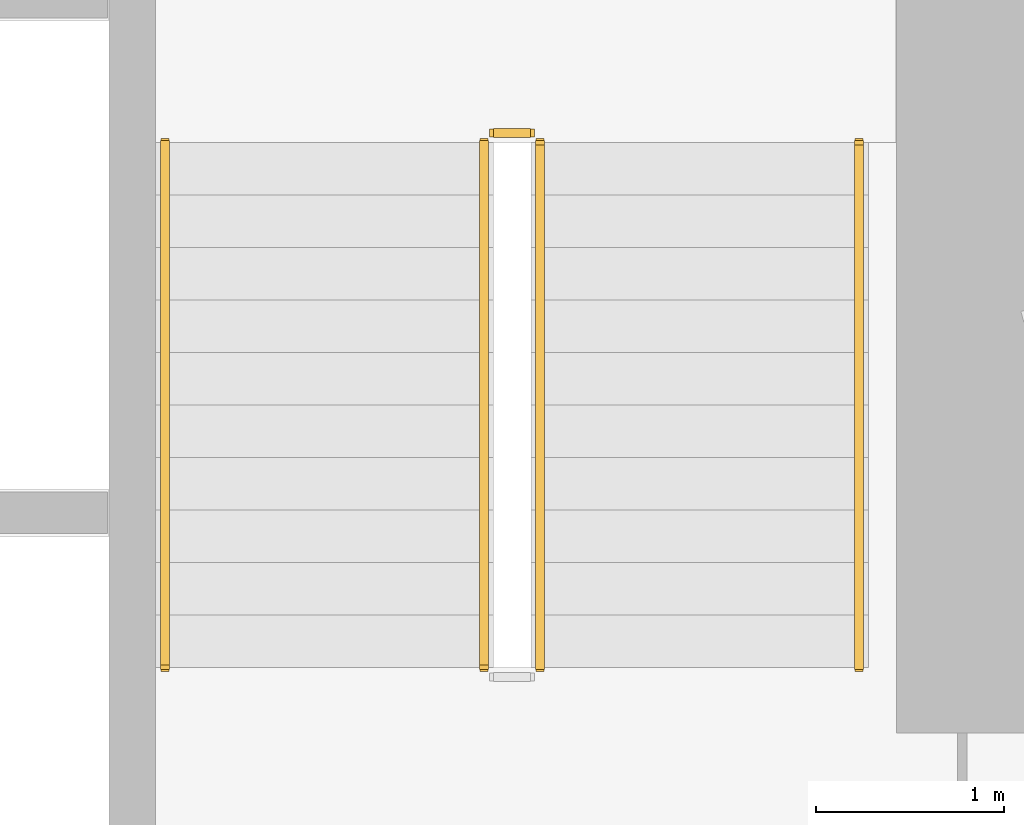
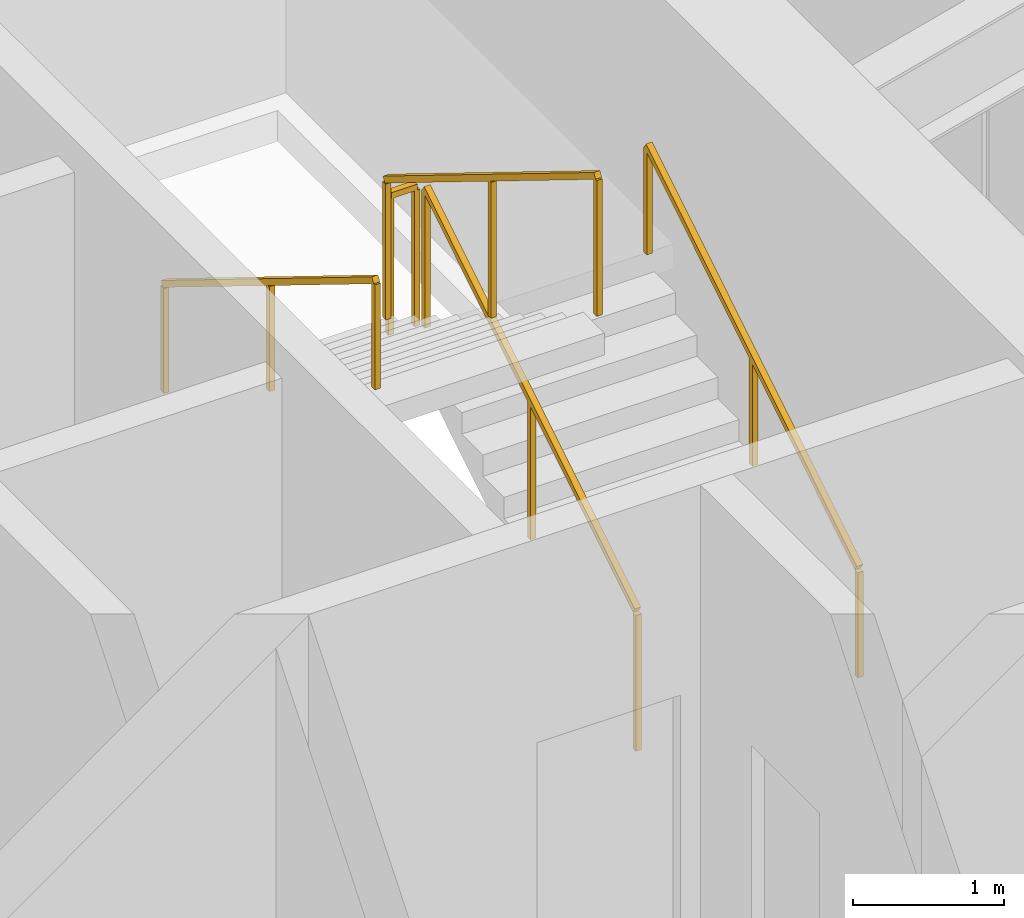
# One storey, part 33 of 33: 5 railings.
"""IFC4 building model written with IfcOpenShell, lengths in metres."""

import ifcopenshell
import ifcopenshell.guid

model = None  # the IFC model being written
_history = None  # IfcOwnerHistory: only IFC2X3 demands one
_inside = {}  # id of a spatial element -> (the spatial element, [elements in it])
_under = {}  # id of a project, library or spatial element -> (it, [spatial elements below it])
_declared = {}  # id of a project -> (the project, [libraries it declares])
_typed = {}  # id of a type object -> (the type object, [elements of that type])
_made_of = {}  # id of a material, layer set ... -> (it, [elements and type objects made of it])


def new_model(schema):
    """Start an empty IFC model of exactly this schema.

    Asked for "IFC4X3", IfcOpenShell would pick the latest addendum, in which some entities
    have other attributes; the version numbers below select the first issue.
    IFC2X3 requires an IfcOwnerHistory on every rooted entity: one is made here for all.
    """
    global model, _history
    if schema == "IFC4X3":
        model = ifcopenshell.file(schema_version=(4, 3, 0, 0))
    else:
        model = ifcopenshell.file(schema=schema)
    _inside.clear()
    _under.clear()
    _declared.clear()
    _typed.clear()
    _made_of.clear()
    _history = None
    if model.schema == "IFC2X3":
        org = make("IfcOrganization", Name="unknown")
        user = make(
            "IfcPersonAndOrganization",
            ThePerson=make("IfcPerson", FamilyName="unknown"),
            TheOrganization=org,
        )
        app = make(
            "IfcApplication",
            ApplicationDeveloper=org,
            Version="unknown",
            ApplicationFullName="unknown",
            ApplicationIdentifier="unknown",
        )
        _history = make(
            "IfcOwnerHistory",
            OwningUser=user,
            OwningApplication=app,
            ChangeAction="ADDED",
            CreationDate=0,
        )
    return model


def make(cls, **values):
    """One entity of the class cls with the attributes given. An attribute that is None is left unset."""
    return model.create_entity(
        cls, **{name: value for name, value in values.items() if value is not None}
    )


def rooted(cls, **values):
    """An entity with a GlobalId (a new one), such as an element, a storey or a relation."""
    return make(cls, GlobalId=ifcopenshell.guid.new(), OwnerHistory=_history, **values)


def si_unit(unit_type, name, prefix=None):
    """IfcSIUnit, for example si_unit("LENGTHUNIT", "METRE", prefix="MILLI")."""
    return make("IfcSIUnit", UnitType=unit_type, Prefix=prefix, Name=name)


def assignment(units):
    """IfcUnitAssignment: the units of a project."""
    return None if units is None else make("IfcUnitAssignment", Units=units)


def point(xyz):
    """IfcCartesianPoint."""
    return None if xyz is None else make("IfcCartesianPoint", Coordinates=xyz)


def direction(xyz):
    """IfcDirection."""
    return None if xyz is None else make("IfcDirection", DirectionRatios=xyz)


def frame(location, z_axis=None, x_axis=None):
    """IfcAxis2Placement3D, a coordinate frame: its origin and axes. An axis left out is left unset."""
    return make(
        "IfcAxis2Placement3D",
        Location=point(location),
        Axis=direction(z_axis),
        RefDirection=direction(x_axis),
    )


def frame_2d(location, x_axis=None):
    """IfcAxis2Placement2D, a coordinate frame in the plane: its origin and x axis."""
    return make(
        "IfcAxis2Placement2D", Location=point(location), RefDirection=direction(x_axis)
    )


def origin():
    """The frame at (0, 0, 0) with its axes left unset."""
    return frame((0.0, 0.0, 0.0))


def origin_2d():
    """The frame at (0, 0) in the plane with its x axis left unset."""
    return frame_2d((0.0, 0.0))


def place(relative_to, where):
    """IfcLocalPlacement: puts the frame where relative to a parent placement (None: the world)."""
    return make(
        "IfcLocalPlacement", PlacementRelTo=relative_to, RelativePlacement=where
    )


def context(
    kind, dimensions, precision=None, world=None, true_north=None, identifier=None
):
    """IfcGeometricRepresentationContext, for example the 3D "Model" context."""
    return make(
        "IfcGeometricRepresentationContext",
        ContextIdentifier=identifier,
        ContextType=kind,
        CoordinateSpaceDimension=dimensions,
        Precision=precision,
        WorldCoordinateSystem=world,
        TrueNorth=true_north,
    )


def subcontext(parent, identifier, kind, view, scale=None):
    """IfcGeometricRepresentationSubContext, for example "Body" below "Model"."""
    return make(
        "IfcGeometricRepresentationSubContext",
        ContextIdentifier=identifier,
        ContextType=kind,
        ParentContext=parent,
        TargetScale=scale,
        TargetView=view,
    )


def project(units=None, contexts=None):
    """IfcProject with its units and contexts."""
    return rooted(
        "IfcProject",
        Name="project",
        RepresentationContexts=contexts,
        UnitsInContext=assignment(units),
    )


def spatial(cls, under=None, at=None, **own):
    """A site, building, storey or space (cls), placed at a placement, below another one or the project."""
    s = rooted(cls, ObjectPlacement=at, **own)
    if under is not None:
        _under.setdefault(under.id(), (under, []))[1].append(s)
    return s


def profile(cls, at=None, kind="AREA", **sizes):
    """A parametric profile (cls). Its sizes go by their IFC names, for example OverallWidth=200.0."""
    return make(cls, ProfileType=kind, Position=at, **sizes)


def rectangle(**sizes):
    """IfcRectangleProfileDef."""
    return profile("IfcRectangleProfileDef", **sizes)


def extrude(swept, where, along, depth):
    """IfcExtrudedAreaSolid: the profile swept, set in the frame where, extruded along a direction by depth."""
    return make(
        "IfcExtrudedAreaSolid",
        SweptArea=swept,
        Position=where,
        ExtrudedDirection=direction(along),
        Depth=depth,
    )


def shape(context_of_items, identifier, shape_type, items):
    """IfcShapeRepresentation: the items that make up one representation, for example the "Body"."""
    return make(
        "IfcShapeRepresentation",
        ContextOfItems=context_of_items,
        RepresentationIdentifier=identifier,
        RepresentationType=shape_type,
        Items=items,
    )


def material(Name=None, Category=None):
    """IfcMaterial."""
    return make("IfcMaterial", Name=Name, Category=Category)


def made_of(thing, what):
    """Note that an element or type object is made of a material, layer set ...; save() writes the relation."""
    if what is not None:
        _made_of.setdefault(what.id(), (what, []))[1].append(thing)
    return thing


def type_object(cls, material=None, **own):
    """A type object (cls), such as IfcWallType, which elements share."""
    return made_of(rooted(cls, **own), material)


def element(
    cls,
    number,
    at=None,
    inside=None,
    cuts=None,
    type_object=None,
    material=None,
    context=None,
    identifier="Body",
    shape_type=None,
    held_by="IfcProductDefinitionShape",
    body=None,
    shapes=None,
    **own,
):
    """One element of the class cls, such as IfcWall. Its Tag is "e" and its number.

    at: its placement. inside: the storey or other place that contains it. cuts: it is an
    opening in that element (IfcRelVoidsElement). A single representation is given by context,
    identifier, shape_type and body (its items); several are given by shapes. held_by: the class
    of the entity that holds the representations. save() writes the other relations.
    """
    e = rooted(cls, Tag="e%d" % number, ObjectPlacement=at, **own)
    if body is not None:
        shapes = [shape(context, identifier, shape_type, body)]
    if shapes is not None:
        e.Representation = make(held_by, Representations=shapes)
    if inside is not None:
        _inside.setdefault(inside.id(), (inside, []))[1].append(e)
    if cuts is not None:
        rooted(
            "IfcRelVoidsElement", RelatingBuildingElement=cuts, RelatedOpeningElement=e
        )
    if type_object is not None:
        _typed.setdefault(type_object.id(), (type_object, []))[1].append(e)
    return made_of(e, material)


def aggregate(whole, parts):
    """IfcRelAggregates: a whole, such as a stair, and the parts it consists of."""
    return rooted("IfcRelAggregates", RelatingObject=whole, RelatedObjects=parts)


def save(model, path):
    """Write the relations noted so far, then the file.

    IfcRelAggregates (storeys below a building ...), IfcRelContainedInSpatialStructure (elements
    in a storey), IfcRelDefinesByType, IfcRelAssociatesMaterial and IfcRelDeclares: one each for
    every whole, place, type object, material and project.
    """
    for whole, parts in _under.values():
        aggregate(whole, parts)
    for where, things in _inside.values():
        rooted(
            "IfcRelContainedInSpatialStructure",
            RelatedElements=things,
            RelatingStructure=where,
        )
    for kind, things in _typed.values():
        rooted("IfcRelDefinesByType", RelatedObjects=things, RelatingType=kind)
    for what, things in _made_of.values():
        rooted("IfcRelAssociatesMaterial", RelatedObjects=things, RelatingMaterial=what)
    for by, libraries in _declared.values():
        rooted("IfcRelDeclares", RelatingContext=by, RelatedDefinitions=libraries)
    model.write(path)


model = new_model("IFC4")

# Units and contexts
model_context = context("Model", 3, precision=1e-05, world=origin(), true_north=direction((0.0, 1.0)))
body_context = subcontext(model_context, "Body", "Model", "MODEL_VIEW")
ifc_project = project(units=[si_unit("LENGTHUNIT", "METRE"), si_unit("AREAUNIT", "SQUARE_METRE"), si_unit("VOLUMEUNIT", "CUBIC_METRE"), si_unit("PLANEANGLEUNIT", "RADIAN"), si_unit("MASSUNIT", "GRAM", prefix="KILO")], contexts=[model_context])

# Site, building, storey
site_placement = place(None, origin())
site = spatial("IfcSite", under=ifc_project, at=site_placement, CompositionType="ELEMENT")
building_placement = place(site_placement, origin())
building = spatial("IfcBuilding", under=site, at=building_placement, Name="Zuhravey Tower", CompositionType="ELEMENT")
storey_placement = place(building_placement, frame((0.0, 0.0, 96.199951171875)))
storey = spatial("IfcBuildingStorey", under=building, at=storey_placement, Name="L23", CompositionType="ELEMENT", Elevation=96.199951171875)

# Railings
ifc_material_1 = material(Name="Brushed stainless steel", Category="steel")
railing_type_1 = type_object("IfcRailingType", Name="Stair Wall Handrail 900", PredefinedType="HANDRAIL", material=ifc_material_1)
railing_1_placement = place(storey_placement, frame((45.949951171875, 33.199951171875, 0.1728515625)))
element("IfcRailing", 1, at=railing_1_placement, inside=storey, type_object=railing_type_1, Name="L23 ST2 stair handrail 1", PredefinedType="HANDRAIL", context=body_context, shape_type="SweptSolid", body=[
    extrude(rectangle(XDim=0.048095703125, YDim=0.048095703125, at=origin_2d()), frame((0.0, 0.001708984375, 0.876953125), z_axis=(0.0, 0.851089632645, 0.525020415988), x_axis=(-1.0, 0.0, 0.0)), (0.0, 0.0, 1.0), 3.285888671875),
    extrude(rectangle(XDim=0.0419921875, YDim=0.0419921875, at=origin_2d()), origin(), (0.0, 0.0, 1.0), 0.849853515625),
    extrude(rectangle(XDim=0.0419921875, YDim=0.0419921875, at=origin_2d()), frame((0.0, 1.39990234375, 0.86376953125)), (0.0, 0.0, 1.0), 0.849853515625),
    extrude(rectangle(XDim=0.0419921875, YDim=0.0419921875, at=origin_2d()), frame((0.0, 2.800048828125, 1.727294921875)), (0.0, 0.0, 1.0), 0.849853515625),
])
railing_2_placement = place(storey_placement, frame((42.25, 36.0, 2.07275390625)))
element("IfcRailing", 2, at=railing_2_placement, inside=storey, type_object=railing_type_1, Name="L23 ST2 stair handrail 2", PredefinedType="HANDRAIL", context=body_context, shape_type="SweptSolid", body=[
    extrude(rectangle(XDim=0.048095703125, YDim=0.048095703125, at=origin_2d()), frame((0.0, -0.001708984375, 0.876953125), z_axis=(0.0, -0.851089632645, 0.525020415988), x_axis=(1.0, 0.0, 0.0)), (0.0, 0.0, 1.0), 3.285888671875),
    extrude(rectangle(XDim=0.0419921875, YDim=0.0419921875, at=origin_2d()), origin(), (0.0, 0.0, 1.0), 0.849853515625),
    extrude(rectangle(XDim=0.0419921875, YDim=0.0419921875, at=origin_2d()), frame((0.0, -1.39990234375, 0.86376953125)), (0.0, 0.0, 1.0), 0.849853515625),
    extrude(rectangle(XDim=0.0419921875, YDim=0.0419921875, at=origin_2d()), frame((0.0, -2.800048828125, 1.727294921875)), (0.0, 0.0, 1.0), 0.849853515625),
])
ifc_material_2 = material(Name="Painted tubular steel", Category="steel")
railing_type_2 = type_object("IfcRailingType", Name="Stair Well Guardrail 1150", PredefinedType="GUARDRAIL", material=ifc_material_2)
railing_3_placement = place(storey_placement, frame((44.25, 33.199951171875, 0.1728515625)))
element("IfcRailing", 3, at=railing_3_placement, inside=storey, type_object=railing_type_2, Name="L23 ST2 stair guard 1", PredefinedType="GUARDRAIL", context=body_context, shape_type="SweptSolid", body=[
    extrude(rectangle(XDim=0.048095703125, YDim=0.048095703125, at=origin_2d()), frame((0.0, 0.001708984375, 1.126953125), z_axis=(0.0, 0.851089632645, 0.525020415988), x_axis=(-1.0, 0.0, 0.0)), (0.0, 0.0, 1.0), 3.285888671875),
    extrude(rectangle(XDim=0.0419921875, YDim=0.0419921875, at=origin_2d()), origin(), (0.0, 0.0, 1.0), 1.099853515625),
    extrude(rectangle(XDim=0.0419921875, YDim=0.0419921875, at=origin_2d()), frame((0.0, 1.39990234375, 0.86376953125)), (0.0, 0.0, 1.0), 1.099853515625),
    extrude(rectangle(XDim=0.0419921875, YDim=0.0419921875, at=origin_2d()), frame((0.0, 2.800048828125, 1.727294921875)), (0.0, 0.0, 1.0), 1.099853515625),
])
railing_4_placement = place(storey_placement, frame((44.199951171875, 36.050048828125, 1.900146484375)))
element("IfcRailing", 4, at=railing_4_placement, inside=storey, type_object=railing_type_2, Name="L23 ST2 stair guard 2", PredefinedType="GUARDRAIL", context=body_context, shape_type="SweptSolid", body=[
    extrude(rectangle(XDim=0.048095703125, YDim=0.048095703125, at=origin_2d()), frame((-0.001953125, 0.0, 1.1259765625), z_axis=(-1.0, 0.0, 0.0), x_axis=(0.0, -1.0, 0.0)), (0.0, 0.0, 1.0), 0.196044921875),
    extrude(rectangle(XDim=0.0419921875, YDim=0.0419921875, at=origin_2d()), origin(), (0.0, 0.0, 1.0), 1.099853515625),
    extrude(rectangle(XDim=0.0419921875, YDim=0.0419921875, at=origin_2d()), frame((-0.199951171875, 0.0, 0.0)), (0.0, 0.0, 1.0), 1.099853515625),
])
railing_5_placement = place(storey_placement, frame((43.949951171875, 36.0, 2.07275390625)))
element("IfcRailing", 5, at=railing_5_placement, inside=storey, type_object=railing_type_2, Name="L23 ST2 stair guard 3", PredefinedType="GUARDRAIL", context=body_context, shape_type="SweptSolid", body=[
    extrude(rectangle(XDim=0.048095703125, YDim=0.048095703125, at=origin_2d()), frame((0.0, -0.001708984375, 1.126953125), z_axis=(0.0, -0.851089632645, 0.525020415988), x_axis=(1.0, 0.0, 0.0)), (0.0, 0.0, 1.0), 3.285888671875),
    extrude(rectangle(XDim=0.0419921875, YDim=0.0419921875, at=origin_2d()), origin(), (0.0, 0.0, 1.0), 1.099853515625),
    extrude(rectangle(XDim=0.0419921875, YDim=0.0419921875, at=origin_2d()), frame((0.0, -1.39990234375, 0.86376953125)), (0.0, 0.0, 1.0), 1.099853515625),
    extrude(rectangle(XDim=0.0419921875, YDim=0.0419921875, at=origin_2d()), frame((0.0, -2.800048828125, 1.727294921875)), (0.0, 0.0, 1.0), 1.099853515625),
])

save(model, "model.ifc")
